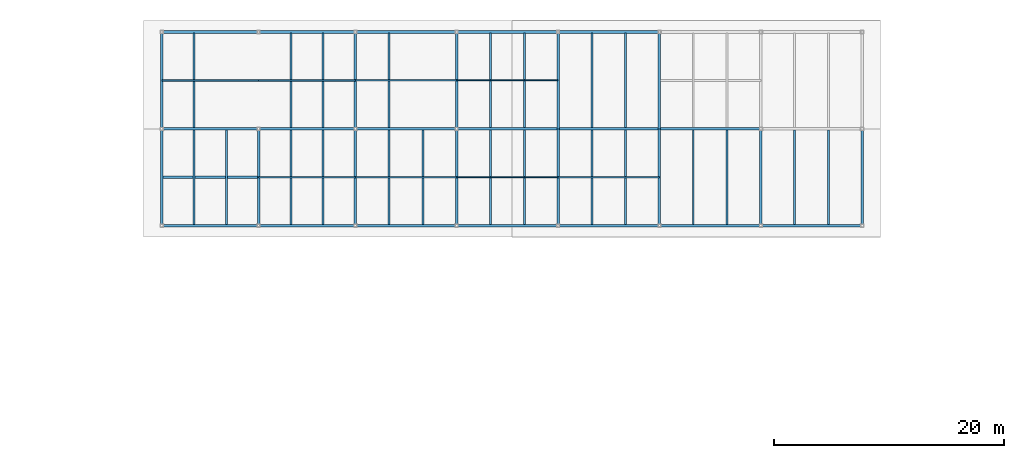
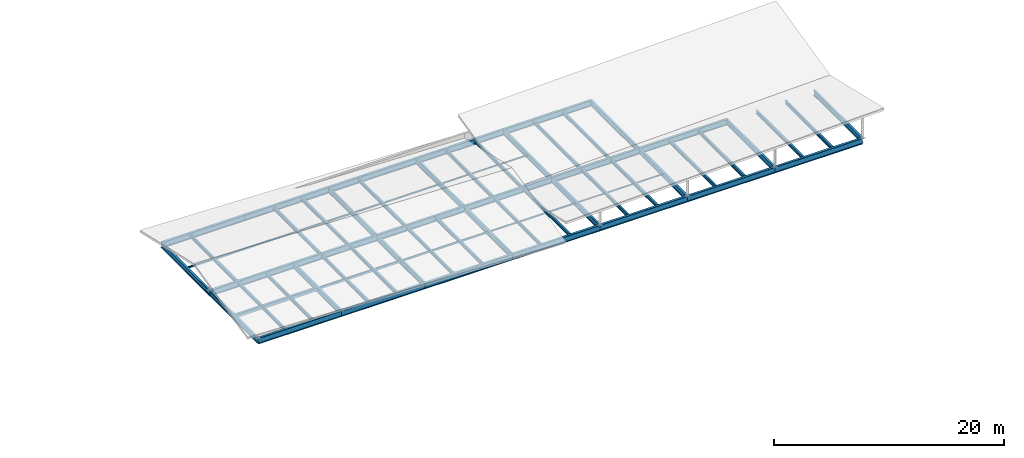
# One storey, part 48 of 65: 53 beams, 9 members.
"""IFC4 building model written with IfcOpenShell, lengths in metres."""

from ifc_helpers import new_model, si_unit, direction, frame, origin, origin_2d, place, context, subcontext, project, spatial, hollow_rectangle, i_section, extrude, material, material_profile, profile_set, type_object, element, save


model = new_model("IFC4")

# Units and contexts
model_context = context("Model", 3, precision=1e-05, world=origin(), true_north=direction((0.0, 1.0)))
body_context = subcontext(model_context, "Body", "Model", "MODEL_VIEW")
ifc_project = project(units=[si_unit("LENGTHUNIT", "METRE"), si_unit("AREAUNIT", "SQUARE_METRE"), si_unit("VOLUMEUNIT", "CUBIC_METRE"), si_unit("PLANEANGLEUNIT", "RADIAN"), si_unit("MASSUNIT", "GRAM", prefix="KILO")], contexts=[model_context])

# Site, building, storey
site_placement = place(None, origin())
site = spatial("IfcSite", under=ifc_project, at=site_placement, CompositionType="ELEMENT")
building_placement = place(site_placement, origin())
building = spatial("IfcBuilding", under=site, at=building_placement, Name="Cinderway Yard Community Centre", CompositionType="ELEMENT")
storey_placement = place(building_placement, frame((0.0, 0.0, 24.300048828125)))
storey = spatial("IfcBuildingStorey", under=building, at=storey_placement, Name="RF", CompositionType="ELEMENT", Elevation=24.300048828125)

# Beams
ifc_material = material(Name="Steel S355", Category="steel")
ifc_material_profile_1 = material_profile(ifc_material, i_section(OverallWidth=0.172119140625, OverallDepth=0.35791015625, WebThickness=0.0078125, FlangeThickness=0.01318359375, FilletRadius=0.010986328125, at=origin_2d()), Name="Steel S355")
ifc_profile_set_1 = profile_set([ifc_material_profile_1], Name="Steel S355")
beam_type_1 = type_object("IfcBeamType", Name="STR-BM-W360X57", PredefinedType="JOIST", material=ifc_profile_set_1)
for number, where, z_axis, x_axis, name in (
    (1, (61.199951171875, 98.4970703125, -0.178955078125), (0.0, 1.0, 0.0), (-1.0, 0.0, 0.0), "Secondary joist STR-BM-RF-SJ03-1123"),
    (2, (64.0, 98.4970703125, -0.178955078125), (0.0, 1.0, 0.0), (-1.0, 0.0, 0.0), "Secondary joist STR-BM-RF-SJ03-1124"),
):
    element("IfcBeam", number, at=place(storey_placement, frame(where, z_axis=z_axis, x_axis=x_axis)), inside=storey, type_object=beam_type_1, Name=name, PredefinedType="JOIST", context=body_context, shape_type="SweptSolid", body=[
        extrude(i_section(OverallWidth=0.172119140625, OverallDepth=0.35791015625, WebThickness=0.0078125, FlangeThickness=0.01318359375, FilletRadius=0.010986328125, at=origin_2d()), origin(), (0.0, 0.0, 1.0), 8.205810546875),
    ])
beam_1_placement = place(storey_placement, frame((61.199951171875, 106.89697265625, -0.178955078125), z_axis=(0.0, 1.0, 0.0), x_axis=(-1.0, 0.0, 0.0)))
element("IfcBeam", 3, at=beam_1_placement, inside=storey, type_object=beam_type_1, Name="Secondary joist STR-BM-RF-SJ03-1125", PredefinedType="JOIST", context=body_context, shape_type="SweptSolid", body=[
    extrude(i_section(OverallWidth=0.172119140625, OverallDepth=0.35791015625, WebThickness=0.0078125, FlangeThickness=0.01318359375, FilletRadius=0.010986328125, at=origin_2d()), origin(), (0.0, 0.0, 1.0), 8.2060546875),
])
for number, where, z_axis, x_axis, name in (
    (4, (69.60009765625, 98.4970703125, -0.178955078125), (0.0, 1.0, 0.0), (-1.0, 0.0, 0.0), "Secondary joist STR-BM-RF-SJ03-1126"),
    (5, (72.39990234375, 98.4970703125, -0.178955078125), (0.0, 1.0, 0.0), (-1.0, 0.0, 0.0), "Secondary joist STR-BM-RF-SJ03-1127"),
):
    element("IfcBeam", number, at=place(storey_placement, frame(where, z_axis=z_axis, x_axis=x_axis)), inside=storey, type_object=beam_type_1, Name=name, PredefinedType="JOIST", context=body_context, shape_type="SweptSolid", body=[
        extrude(i_section(OverallWidth=0.172119140625, OverallDepth=0.35791015625, WebThickness=0.0078125, FlangeThickness=0.01318359375, FilletRadius=0.010986328125, at=origin_2d()), origin(), (0.0, 0.0, 1.0), 8.205810546875),
    ])
for number, where, z_axis, x_axis, name in (
    (6, (69.60009765625, 106.89697265625, -0.178955078125), (0.0, 1.0, 0.0), (-1.0, 0.0, 0.0), "Secondary joist STR-BM-RF-SJ03-1128"),
    (7, (72.39990234375, 106.89697265625, -0.178955078125), (0.0, 1.0, 0.0), (-1.0, 0.0, 0.0), "Secondary joist STR-BM-RF-SJ03-1129"),
):
    element("IfcBeam", number, at=place(storey_placement, frame(where, z_axis=z_axis, x_axis=x_axis)), inside=storey, type_object=beam_type_1, Name=name, PredefinedType="JOIST", context=body_context, shape_type="SweptSolid", body=[
        extrude(i_section(OverallWidth=0.172119140625, OverallDepth=0.35791015625, WebThickness=0.0078125, FlangeThickness=0.01318359375, FilletRadius=0.010986328125, at=origin_2d()), origin(), (0.0, 0.0, 1.0), 8.2060546875),
    ])
for number, where, z_axis, x_axis, name in (
    (8, (78.133056640625, 98.4970703125, -0.178955078125), (0.0, 1.0, 0.0), (-1.0, 0.0, 0.0), "Secondary joist STR-BM-RF-SJ03-1130"),
    (9, (81.06689453125, 98.4970703125, -0.178955078125), (0.0, 1.0, 0.0), (-1.0, 0.0, 0.0), "Secondary joist STR-BM-RF-SJ03-1131"),
):
    element("IfcBeam", number, at=place(storey_placement, frame(where, z_axis=z_axis, x_axis=x_axis)), inside=storey, type_object=beam_type_1, Name=name, PredefinedType="JOIST", context=body_context, shape_type="SweptSolid", body=[
        extrude(i_section(OverallWidth=0.172119140625, OverallDepth=0.35791015625, WebThickness=0.0078125, FlangeThickness=0.01318359375, FilletRadius=0.010986328125, at=origin_2d()), origin(), (0.0, 0.0, 1.0), 8.205810546875),
    ])
beam_2_placement = place(storey_placement, frame((78.133056640625, 106.89697265625, -0.178955078125), z_axis=(0.0, 1.0, 0.0), x_axis=(-1.0, 0.0, 0.0)))
element("IfcBeam", 10, at=beam_2_placement, inside=storey, type_object=beam_type_1, Name="Secondary joist STR-BM-RF-SJ03-1132", PredefinedType="JOIST", context=body_context, shape_type="SweptSolid", body=[
    extrude(i_section(OverallWidth=0.172119140625, OverallDepth=0.35791015625, WebThickness=0.0078125, FlangeThickness=0.01318359375, FilletRadius=0.010986328125, at=origin_2d()), origin(), (0.0, 0.0, 1.0), 8.2060546875),
])
for number, where, z_axis, x_axis, name in (
    (11, (86.93310546875, 98.4970703125, -0.178955078125), (0.0, 1.0, 0.0), (-1.0, 0.0, 0.0), "Secondary joist STR-BM-RF-SJ03-1133"),
    (12, (89.866943359375, 98.4970703125, -0.178955078125), (0.0, 1.0, 0.0), (-1.0, 0.0, 0.0), "Secondary joist STR-BM-RF-SJ03-1134"),
):
    element("IfcBeam", number, at=place(storey_placement, frame(where, z_axis=z_axis, x_axis=x_axis)), inside=storey, type_object=beam_type_1, Name=name, PredefinedType="JOIST", context=body_context, shape_type="SweptSolid", body=[
        extrude(i_section(OverallWidth=0.172119140625, OverallDepth=0.35791015625, WebThickness=0.0078125, FlangeThickness=0.01318359375, FilletRadius=0.010986328125, at=origin_2d()), origin(), (0.0, 0.0, 1.0), 8.205810546875),
    ])
for number, where, z_axis, x_axis, name in (
    (13, (86.93310546875, 106.89697265625, -0.178955078125), (0.0, 1.0, 0.0), (-1.0, 0.0, 0.0), "Secondary joist STR-BM-RF-SJ03-1135"),
    (14, (89.866943359375, 106.89697265625, -0.178955078125), (0.0, 1.0, 0.0), (-1.0, 0.0, 0.0), "Secondary joist STR-BM-RF-SJ03-1136"),
):
    element("IfcBeam", number, at=place(storey_placement, frame(where, z_axis=z_axis, x_axis=x_axis)), inside=storey, type_object=beam_type_1, Name=name, PredefinedType="JOIST", context=body_context, shape_type="SweptSolid", body=[
        extrude(i_section(OverallWidth=0.172119140625, OverallDepth=0.35791015625, WebThickness=0.0078125, FlangeThickness=0.01318359375, FilletRadius=0.010986328125, at=origin_2d()), origin(), (0.0, 0.0, 1.0), 8.2060546875),
    ])
for number, where, z_axis, x_axis, name in (
    (15, (95.73291015625, 98.4970703125, -0.178955078125), (0.0, 1.0, 0.0), (-1.0, 0.0, 0.0), "Secondary joist STR-BM-RF-SJ03-1137"),
    (16, (98.6669921875, 98.4970703125, -0.178955078125), (0.0, 1.0, 0.0), (-1.0, 0.0, 0.0), "Secondary joist STR-BM-RF-SJ03-1138"),
):
    element("IfcBeam", number, at=place(storey_placement, frame(where, z_axis=z_axis, x_axis=x_axis)), inside=storey, type_object=beam_type_1, Name=name, PredefinedType="JOIST", context=body_context, shape_type="SweptSolid", body=[
        extrude(i_section(OverallWidth=0.172119140625, OverallDepth=0.35791015625, WebThickness=0.0078125, FlangeThickness=0.01318359375, FilletRadius=0.010986328125, at=origin_2d()), origin(), (0.0, 0.0, 1.0), 8.205810546875),
    ])
for number, where, z_axis, x_axis, name in (
    (17, (95.73291015625, 106.89697265625, -0.178955078125), (0.0, 1.0, 0.0), (-1.0, 0.0, 0.0), "Secondary joist STR-BM-RF-SJ03-1139"),
    (18, (98.6669921875, 106.89697265625, -0.178955078125), (0.0, 1.0, 0.0), (-1.0, 0.0, 0.0), "Secondary joist STR-BM-RF-SJ03-1140"),
):
    element("IfcBeam", number, at=place(storey_placement, frame(where, z_axis=z_axis, x_axis=x_axis)), inside=storey, type_object=beam_type_1, Name=name, PredefinedType="JOIST", context=body_context, shape_type="SweptSolid", body=[
        extrude(i_section(OverallWidth=0.172119140625, OverallDepth=0.35791015625, WebThickness=0.0078125, FlangeThickness=0.01318359375, FilletRadius=0.010986328125, at=origin_2d()), origin(), (0.0, 0.0, 1.0), 8.2060546875),
    ])
for number, where, z_axis, x_axis, name in (
    (19, (104.532958984375, 98.4970703125, -0.178955078125), (0.0, 1.0, 0.0), (-1.0, 0.0, 0.0), "Secondary joist STR-BM-RF-SJ03-1141"),
    (20, (107.467041015625, 98.4970703125, -0.178955078125), (0.0, 1.0, 0.0), (-1.0, 0.0, 0.0), "Secondary joist STR-BM-RF-SJ03-1142"),
    (21, (113.3330078125, 98.4970703125, -0.178955078125), (0.0, 1.0, 0.0), (-1.0, 0.0, 0.0), "Secondary joist STR-BM-RF-SJ03-1145"),
    (22, (116.26708984375, 98.4970703125, -0.178955078125), (0.0, 1.0, 0.0), (-1.0, 0.0, 0.0), "Secondary joist STR-BM-RF-SJ03-1146"),
):
    element("IfcBeam", number, at=place(storey_placement, frame(where, z_axis=z_axis, x_axis=x_axis)), inside=storey, type_object=beam_type_1, Name=name, PredefinedType="JOIST", context=body_context, shape_type="SweptSolid", body=[
        extrude(i_section(OverallWidth=0.172119140625, OverallDepth=0.35791015625, WebThickness=0.0078125, FlangeThickness=0.01318359375, FilletRadius=0.010986328125, at=origin_2d()), origin(), (0.0, 0.0, 1.0), 8.205810546875),
    ])
ifc_material_profile_2 = material_profile(ifc_material, i_section(OverallWidth=0.2109375, OverallDepth=0.5390625, WebThickness=0.010986328125, FlangeThickness=0.017333984375, FilletRadius=0.013916015625, at=origin_2d()), Name="Steel S355")
ifc_profile_set_2 = profile_set([ifc_material_profile_2], Name="Steel S355")
beam_type_2 = type_object("IfcBeamType", Name="STR-BM-W530X109", PredefinedType="BEAM", material=ifc_profile_set_2)
beam_3_placement = place(storey_placement, frame((58.39990234375, 98.39990234375, -0.27001953125), z_axis=(0.0, 1.0, 0.0), x_axis=(-1.0, 0.0, 0.0)))
element("IfcBeam", 23, at=beam_3_placement, inside=storey, type_object=beam_type_2, Name="Transverse girder STR-BM-RF-SB06-1108", PredefinedType="BEAM", context=body_context, shape_type="SweptSolid", body=[
    extrude(i_section(OverallWidth=0.2109375, OverallDepth=0.5390625, WebThickness=0.010986328125, FlangeThickness=0.017333984375, FilletRadius=0.013916015625, at=origin_2d()), origin(), (0.0, 0.0, 1.0), 8.400146484375),
])
beam_4_placement = place(storey_placement, frame((58.39990234375, 106.800048828125, -0.27001953125), z_axis=(0.0, 1.0, 0.0), x_axis=(-1.0, 0.0, 0.0)))
element("IfcBeam", 24, at=beam_4_placement, inside=storey, type_object=beam_type_2, Name="Transverse girder STR-BM-RF-SB06-1109", PredefinedType="BEAM", context=body_context, shape_type="SweptSolid", body=[
    extrude(i_section(OverallWidth=0.2109375, OverallDepth=0.5390625, WebThickness=0.010986328125, FlangeThickness=0.017333984375, FilletRadius=0.013916015625, at=origin_2d()), origin(), (0.0, 0.0, 1.0), 8.39990234375),
])
for number, where, z_axis, x_axis, name in (
    (25, (66.800048828125, 98.39990234375, -0.27001953125), (0.0, 1.0, 0.0), (-1.0, 0.0, 0.0), "Transverse girder STR-BM-RF-SB06-1110"),
    (26, (75.199951171875, 98.39990234375, -0.27001953125), (0.0, 1.0, 0.0), (-1.0, 0.0, 0.0), "Transverse girder STR-BM-RF-SB06-1111"),
):
    element("IfcBeam", number, at=place(storey_placement, frame(where, z_axis=z_axis, x_axis=x_axis)), inside=storey, type_object=beam_type_2, Name=name, PredefinedType="BEAM", context=body_context, shape_type="SweptSolid", body=[
        extrude(i_section(OverallWidth=0.2109375, OverallDepth=0.5390625, WebThickness=0.010986328125, FlangeThickness=0.017333984375, FilletRadius=0.013916015625, at=origin_2d()), origin(), (0.0, 0.0, 1.0), 8.400146484375),
    ])
beam_5_placement = place(storey_placement, frame((75.199951171875, 106.800048828125, -0.27001953125), z_axis=(0.0, 1.0, 0.0), x_axis=(-1.0, 0.0, 0.0)))
element("IfcBeam", 27, at=beam_5_placement, inside=storey, type_object=beam_type_2, Name="Transverse girder STR-BM-RF-SB06-1112", PredefinedType="BEAM", context=body_context, shape_type="SweptSolid", body=[
    extrude(i_section(OverallWidth=0.2109375, OverallDepth=0.5390625, WebThickness=0.010986328125, FlangeThickness=0.017333984375, FilletRadius=0.013916015625, at=origin_2d()), origin(), (0.0, 0.0, 1.0), 8.39990234375),
])
beam_6_placement = place(storey_placement, frame((84.0, 98.39990234375, -0.27001953125), z_axis=(0.0, 1.0, 0.0), x_axis=(-1.0, 0.0, 0.0)))
element("IfcBeam", 28, at=beam_6_placement, inside=storey, type_object=beam_type_2, Name="Transverse girder STR-BM-RF-SB06-1113", PredefinedType="BEAM", context=body_context, shape_type="SweptSolid", body=[
    extrude(i_section(OverallWidth=0.2109375, OverallDepth=0.5390625, WebThickness=0.010986328125, FlangeThickness=0.017333984375, FilletRadius=0.013916015625, at=origin_2d()), origin(), (0.0, 0.0, 1.0), 8.400146484375),
])
beam_7_placement = place(storey_placement, frame((84.0, 106.800048828125, -0.27001953125), z_axis=(0.0, 1.0, 0.0), x_axis=(-1.0, 0.0, 0.0)))
element("IfcBeam", 29, at=beam_7_placement, inside=storey, type_object=beam_type_2, Name="Transverse girder STR-BM-RF-SB06-1114", PredefinedType="BEAM", context=body_context, shape_type="SweptSolid", body=[
    extrude(i_section(OverallWidth=0.2109375, OverallDepth=0.5390625, WebThickness=0.010986328125, FlangeThickness=0.017333984375, FilletRadius=0.013916015625, at=origin_2d()), origin(), (0.0, 0.0, 1.0), 8.39990234375),
])
beam_8_placement = place(storey_placement, frame((92.800048828125, 98.39990234375, -0.27001953125), z_axis=(0.0, 1.0, 0.0), x_axis=(-1.0, 0.0, 0.0)))
element("IfcBeam", 30, at=beam_8_placement, inside=storey, type_object=beam_type_2, Name="Transverse girder STR-BM-RF-SB06-1115", PredefinedType="BEAM", context=body_context, shape_type="SweptSolid", body=[
    extrude(i_section(OverallWidth=0.2109375, OverallDepth=0.5390625, WebThickness=0.010986328125, FlangeThickness=0.017333984375, FilletRadius=0.013916015625, at=origin_2d()), origin(), (0.0, 0.0, 1.0), 8.400146484375),
])
beam_9_placement = place(storey_placement, frame((92.800048828125, 106.800048828125, -0.27001953125), z_axis=(0.0, 1.0, 0.0), x_axis=(-1.0, 0.0, 0.0)))
element("IfcBeam", 31, at=beam_9_placement, inside=storey, type_object=beam_type_2, Name="Transverse girder STR-BM-RF-SB06-1116", PredefinedType="BEAM", context=body_context, shape_type="SweptSolid", body=[
    extrude(i_section(OverallWidth=0.2109375, OverallDepth=0.5390625, WebThickness=0.010986328125, FlangeThickness=0.017333984375, FilletRadius=0.013916015625, at=origin_2d()), origin(), (0.0, 0.0, 1.0), 8.39990234375),
])
beam_10_placement = place(storey_placement, frame((101.60009765625, 98.39990234375, -0.27001953125), z_axis=(0.0, 1.0, 0.0), x_axis=(-1.0, 0.0, 0.0)))
element("IfcBeam", 32, at=beam_10_placement, inside=storey, type_object=beam_type_2, Name="Transverse girder STR-BM-RF-SB06-1117", PredefinedType="BEAM", context=body_context, shape_type="SweptSolid", body=[
    extrude(i_section(OverallWidth=0.2109375, OverallDepth=0.5390625, WebThickness=0.010986328125, FlangeThickness=0.017333984375, FilletRadius=0.013916015625, at=origin_2d()), origin(), (0.0, 0.0, 1.0), 8.400146484375),
])
beam_11_placement = place(storey_placement, frame((101.60009765625, 106.800048828125, -0.27001953125), z_axis=(0.0, 1.0, 0.0), x_axis=(-1.0, 0.0, 0.0)))
element("IfcBeam", 33, at=beam_11_placement, inside=storey, type_object=beam_type_2, Name="Transverse girder STR-BM-RF-SB06-1118", PredefinedType="BEAM", context=body_context, shape_type="SweptSolid", body=[
    extrude(i_section(OverallWidth=0.2109375, OverallDepth=0.5390625, WebThickness=0.010986328125, FlangeThickness=0.017333984375, FilletRadius=0.013916015625, at=origin_2d()), origin(), (0.0, 0.0, 1.0), 8.39990234375),
])
for number, where, z_axis, x_axis, name in (
    (34, (110.39990234375, 98.39990234375, -0.27001953125), (0.0, 1.0, 0.0), (-1.0, 0.0, 0.0), "Transverse girder STR-BM-RF-SB06-1119"),
    (35, (119.199951171875, 98.39990234375, -0.27001953125), (0.0, 1.0, 0.0), (-1.0, 0.0, 0.0), "Transverse girder STR-BM-RF-SB06-1121"),
):
    element("IfcBeam", number, at=place(storey_placement, frame(where, z_axis=z_axis, x_axis=x_axis)), inside=storey, type_object=beam_type_2, Name=name, PredefinedType="BEAM", context=body_context, shape_type="SweptSolid", body=[
        extrude(i_section(OverallWidth=0.2109375, OverallDepth=0.5390625, WebThickness=0.010986328125, FlangeThickness=0.017333984375, FilletRadius=0.013916015625, at=origin_2d()), origin(), (0.0, 0.0, 1.0), 8.400146484375),
    ])
ifc_material_profile_3 = material_profile(ifc_material, i_section(OverallWidth=0.22998046875, OverallDepth=0.616943359375, WebThickness=0.011962890625, FlangeThickness=0.01953125, FilletRadius=0.01611328125, at=origin_2d()), Name="Steel S355")
ifc_profile_set_3 = profile_set([ifc_material_profile_3], Name="Steel S355")
beam_type_3 = type_object("IfcBeamType", Name="STR-BM-W610X140", PredefinedType="BEAM", material=ifc_profile_set_3)
beam_12_placement = place(storey_placement, frame((58.39990234375, 98.39990234375, -0.30810546875), z_axis=(1.0, 0.0, 0.0), x_axis=(0.0, 1.0, 0.0)))
element("IfcBeam", 36, at=beam_12_placement, inside=storey, type_object=beam_type_3, Name="Primary girder STR-BM-RF-SB05-1087", PredefinedType="BEAM", context=body_context, shape_type="SweptSolid", body=[
    extrude(i_section(OverallWidth=0.22998046875, OverallDepth=0.616943359375, WebThickness=0.011962890625, FlangeThickness=0.01953125, FilletRadius=0.01611328125, at=origin_2d()), origin(), (0.0, 0.0, 1.0), 8.400146484375),
])
beam_13_placement = place(storey_placement, frame((66.800048828125, 98.39990234375, -0.30810546875), z_axis=(1.0, 0.0, 0.0), x_axis=(0.0, 1.0, 0.0)))
element("IfcBeam", 37, at=beam_13_placement, inside=storey, type_object=beam_type_3, Name="Primary girder STR-BM-RF-SB05-1088", PredefinedType="BEAM", context=body_context, shape_type="SweptSolid", body=[
    extrude(i_section(OverallWidth=0.22998046875, OverallDepth=0.616943359375, WebThickness=0.011962890625, FlangeThickness=0.01953125, FilletRadius=0.01611328125, at=origin_2d()), origin(), (0.0, 0.0, 1.0), 8.39990234375),
])
for number, where, z_axis, x_axis, name in (
    (38, (75.199951171875, 98.39990234375, -0.30810546875), (1.0, 0.0, 0.0), (0.0, 1.0, 0.0), "Primary girder STR-BM-RF-SB05-1089"),
    (39, (84.0, 98.39990234375, -0.30810546875), (1.0, 0.0, 0.0), (0.0, 1.0, 0.0), "Primary girder STR-BM-RF-SB05-1090"),
    (40, (92.800048828125, 98.39990234375, -0.30810546875), (1.0, 0.0, 0.0), (0.0, 1.0, 0.0), "Primary girder STR-BM-RF-SB05-1091"),
):
    element("IfcBeam", number, at=place(storey_placement, frame(where, z_axis=z_axis, x_axis=x_axis)), inside=storey, type_object=beam_type_3, Name=name, PredefinedType="BEAM", context=body_context, shape_type="SweptSolid", body=[
        extrude(i_section(OverallWidth=0.22998046875, OverallDepth=0.616943359375, WebThickness=0.011962890625, FlangeThickness=0.01953125, FilletRadius=0.01611328125, at=origin_2d()), origin(), (0.0, 0.0, 1.0), 8.800048828125),
    ])
beam_14_placement = place(storey_placement, frame((101.60009765625, 98.39990234375, -0.30810546875), z_axis=(1.0, 0.0, 0.0), x_axis=(0.0, 1.0, 0.0)))
element("IfcBeam", 41, at=beam_14_placement, inside=storey, type_object=beam_type_3, Name="Primary girder STR-BM-RF-SB05-1092", PredefinedType="BEAM", context=body_context, shape_type="SweptSolid", body=[
    extrude(i_section(OverallWidth=0.22998046875, OverallDepth=0.616943359375, WebThickness=0.011962890625, FlangeThickness=0.01953125, FilletRadius=0.01611328125, at=origin_2d()), origin(), (0.0, 0.0, 1.0), 8.7998046875),
])
beam_15_placement = place(storey_placement, frame((110.39990234375, 98.39990234375, -0.30810546875), z_axis=(1.0, 0.0, 0.0), x_axis=(0.0, 1.0, 0.0)))
element("IfcBeam", 42, at=beam_15_placement, inside=storey, type_object=beam_type_3, Name="Primary girder STR-BM-RF-SB05-1093", PredefinedType="BEAM", context=body_context, shape_type="SweptSolid", body=[
    extrude(i_section(OverallWidth=0.22998046875, OverallDepth=0.616943359375, WebThickness=0.011962890625, FlangeThickness=0.01953125, FilletRadius=0.01611328125, at=origin_2d()), origin(), (0.0, 0.0, 1.0), 8.800048828125),
])
beam_16_placement = place(storey_placement, frame((58.39990234375, 106.800048828125, -0.30810546875), z_axis=(1.0, 0.0, 0.0), x_axis=(0.0, 1.0, 0.0)))
element("IfcBeam", 43, at=beam_16_placement, inside=storey, type_object=beam_type_3, Name="Primary girder STR-BM-RF-SB05-1094", PredefinedType="BEAM", context=body_context, shape_type="SweptSolid", body=[
    extrude(i_section(OverallWidth=0.22998046875, OverallDepth=0.616943359375, WebThickness=0.011962890625, FlangeThickness=0.01953125, FilletRadius=0.01611328125, at=origin_2d()), origin(), (0.0, 0.0, 1.0), 8.400146484375),
])
beam_17_placement = place(storey_placement, frame((66.800048828125, 106.800048828125, -0.30810546875), z_axis=(1.0, 0.0, 0.0), x_axis=(0.0, 1.0, 0.0)))
element("IfcBeam", 44, at=beam_17_placement, inside=storey, type_object=beam_type_3, Name="Primary girder STR-BM-RF-SB05-1095", PredefinedType="BEAM", context=body_context, shape_type="SweptSolid", body=[
    extrude(i_section(OverallWidth=0.22998046875, OverallDepth=0.616943359375, WebThickness=0.011962890625, FlangeThickness=0.01953125, FilletRadius=0.01611328125, at=origin_2d()), origin(), (0.0, 0.0, 1.0), 8.39990234375),
])
for number, where, z_axis, x_axis, name in (
    (45, (75.199951171875, 106.800048828125, -0.30810546875), (1.0, 0.0, 0.0), (0.0, 1.0, 0.0), "Primary girder STR-BM-RF-SB05-1096"),
    (46, (84.0, 106.800048828125, -0.30810546875), (1.0, 0.0, 0.0), (0.0, 1.0, 0.0), "Primary girder STR-BM-RF-SB05-1097"),
    (47, (92.800048828125, 106.800048828125, -0.30810546875), (1.0, 0.0, 0.0), (0.0, 1.0, 0.0), "Primary girder STR-BM-RF-SB05-1098"),
):
    element("IfcBeam", number, at=place(storey_placement, frame(where, z_axis=z_axis, x_axis=x_axis)), inside=storey, type_object=beam_type_3, Name=name, PredefinedType="BEAM", context=body_context, shape_type="SweptSolid", body=[
        extrude(i_section(OverallWidth=0.22998046875, OverallDepth=0.616943359375, WebThickness=0.011962890625, FlangeThickness=0.01953125, FilletRadius=0.01611328125, at=origin_2d()), origin(), (0.0, 0.0, 1.0), 8.800048828125),
    ])
beam_18_placement = place(storey_placement, frame((101.60009765625, 106.800048828125, -0.30810546875), z_axis=(1.0, 0.0, 0.0), x_axis=(0.0, 1.0, 0.0)))
element("IfcBeam", 48, at=beam_18_placement, inside=storey, type_object=beam_type_3, Name="Primary girder STR-BM-RF-SB05-1099", PredefinedType="BEAM", context=body_context, shape_type="SweptSolid", body=[
    extrude(i_section(OverallWidth=0.22998046875, OverallDepth=0.616943359375, WebThickness=0.011962890625, FlangeThickness=0.01953125, FilletRadius=0.01611328125, at=origin_2d()), origin(), (0.0, 0.0, 1.0), 8.7998046875),
])
beam_19_placement = place(storey_placement, frame((58.39990234375, 115.199951171875, -0.30810546875), z_axis=(1.0, 0.0, 0.0), x_axis=(0.0, 1.0, 0.0)))
element("IfcBeam", 49, at=beam_19_placement, inside=storey, type_object=beam_type_3, Name="Primary girder STR-BM-RF-SB05-1101", PredefinedType="BEAM", context=body_context, shape_type="SweptSolid", body=[
    extrude(i_section(OverallWidth=0.22998046875, OverallDepth=0.616943359375, WebThickness=0.011962890625, FlangeThickness=0.01953125, FilletRadius=0.01611328125, at=origin_2d()), origin(), (0.0, 0.0, 1.0), 8.400146484375),
])
beam_20_placement = place(storey_placement, frame((66.800048828125, 115.199951171875, -0.30810546875), z_axis=(1.0, 0.0, 0.0), x_axis=(0.0, 1.0, 0.0)))
element("IfcBeam", 50, at=beam_20_placement, inside=storey, type_object=beam_type_3, Name="Primary girder STR-BM-RF-SB05-1102", PredefinedType="BEAM", context=body_context, shape_type="SweptSolid", body=[
    extrude(i_section(OverallWidth=0.22998046875, OverallDepth=0.616943359375, WebThickness=0.011962890625, FlangeThickness=0.01953125, FilletRadius=0.01611328125, at=origin_2d()), origin(), (0.0, 0.0, 1.0), 8.39990234375),
])
for number, where, z_axis, x_axis, name in (
    (51, (75.199951171875, 115.199951171875, -0.30810546875), (1.0, 0.0, 0.0), (0.0, 1.0, 0.0), "Primary girder STR-BM-RF-SB05-1103"),
    (52, (84.0, 115.199951171875, -0.30810546875), (1.0, 0.0, 0.0), (0.0, 1.0, 0.0), "Primary girder STR-BM-RF-SB05-1104"),
    (53, (92.800048828125, 115.199951171875, -0.30810546875), (1.0, 0.0, 0.0), (0.0, 1.0, 0.0), "Primary girder STR-BM-RF-SB05-1105"),
):
    element("IfcBeam", number, at=place(storey_placement, frame(where, z_axis=z_axis, x_axis=x_axis)), inside=storey, type_object=beam_type_3, Name=name, PredefinedType="BEAM", context=body_context, shape_type="SweptSolid", body=[
        extrude(i_section(OverallWidth=0.22998046875, OverallDepth=0.616943359375, WebThickness=0.011962890625, FlangeThickness=0.01953125, FilletRadius=0.01611328125, at=origin_2d()), origin(), (0.0, 0.0, 1.0), 8.800048828125),
    ])

# Members
ifc_material_profile_4 = material_profile(ifc_material, hollow_rectangle(XDim=0.1201171875, YDim=0.1201171875, WallThickness=0.00634765625, InnerFilletRadius=0.00634765625, OuterFilletRadius=0.0126953125, at=origin_2d()), Name="Steel S355")
ifc_profile_set_4 = profile_set([ifc_material_profile_4], Name="Steel S355")
member_type_1 = type_object("IfcMemberType", Name="STR-MEM-BRACE-120", PredefinedType="BRACE", material=ifc_profile_set_4)
member_1_placement = place(storey_placement, frame((84.0, 111.0, -0.25), z_axis=(1.0, 0.0, 0.0), x_axis=(0.0, 1.0, 0.0)))
element("IfcMember", 54, at=member_1_placement, inside=storey, type_object=member_type_1, Name="Roof purlin tie member 10", PredefinedType="BRACE", context=body_context, shape_type="SweptSolid", body=[
    extrude(hollow_rectangle(XDim=0.1201171875, YDim=0.1201171875, WallThickness=0.00634765625, InnerFilletRadius=0.00634765625, OuterFilletRadius=0.0126953125, at=origin_2d()), origin(), (0.0, 0.0, 1.0), 8.800048828125),
])
ifc_material_profile_5 = material_profile(ifc_material, hollow_rectangle(XDim=0.139892578125, YDim=0.139892578125, WallThickness=0.008056640625, InnerFilletRadius=0.008056640625, OuterFilletRadius=0.01611328125, at=origin_2d()), Name="Steel S355")
ifc_profile_set_5 = profile_set([ifc_material_profile_5], Name="Steel S355")
member_type_2 = type_object("IfcMemberType", Name="STR-MEM-BRACE-140", PredefinedType="BRACE", material=ifc_profile_set_5)
member_2_placement = place(storey_placement, frame((75.199951171875, 111.0, -0.25), z_axis=(1.0, 0.0, 0.0), x_axis=(0.0, 1.0, 0.0)))
element("IfcMember", 55, at=member_2_placement, inside=storey, type_object=member_type_2, Name="Roof purlin tie member 09", PredefinedType="BRACE", context=body_context, shape_type="SweptSolid", body=[
    extrude(hollow_rectangle(XDim=0.139892578125, YDim=0.139892578125, WallThickness=0.008056640625, InnerFilletRadius=0.008056640625, OuterFilletRadius=0.01611328125, at=origin_2d()), origin(), (0.0, 0.0, 1.0), 8.800048828125),
])
ifc_material_profile_6 = material_profile(ifc_material, hollow_rectangle(XDim=0.14990234375, YDim=0.14990234375, WallThickness=0.008056640625, InnerFilletRadius=0.008056640625, OuterFilletRadius=0.01611328125, at=origin_2d()), Name="Steel S355")
ifc_profile_set_6 = profile_set([ifc_material_profile_6], Name="Steel S355")
member_type_3 = type_object("IfcMemberType", Name="STR-MEM-BRACE-150", PredefinedType="BRACE", material=ifc_profile_set_6)
member_3_placement = place(storey_placement, frame((66.800048828125, 111.0, -0.25), z_axis=(1.0, 0.0, 0.0), x_axis=(0.0, 1.0, 0.0)))
element("IfcMember", 56, at=member_3_placement, inside=storey, type_object=member_type_3, Name="Roof purlin tie member 08", PredefinedType="BRACE", context=body_context, shape_type="SweptSolid", body=[
    extrude(hollow_rectangle(XDim=0.14990234375, YDim=0.14990234375, WallThickness=0.008056640625, InnerFilletRadius=0.008056640625, OuterFilletRadius=0.01611328125, at=origin_2d()), origin(), (0.0, 0.0, 1.0), 8.39990234375),
])
ifc_material_profile_7 = material_profile(ifc_material, hollow_rectangle(XDim=0.159912109375, YDim=0.159912109375, WallThickness=0.010009765625, InnerFilletRadius=0.010009765625, OuterFilletRadius=0.02001953125, at=origin_2d()), Name="Steel S355")
ifc_profile_set_7 = profile_set([ifc_material_profile_7], Name="Steel S355")
member_type_4 = type_object("IfcMemberType", Name="STR-MEM-BRACE-160", PredefinedType="BRACE", material=ifc_profile_set_7)
member_4_placement = place(storey_placement, frame((58.39990234375, 111.0, -0.25), z_axis=(1.0, 0.0, 0.0), x_axis=(0.0, 1.0, 0.0)))
element("IfcMember", 57, at=member_4_placement, inside=storey, type_object=member_type_4, Name="Roof purlin tie member 07", PredefinedType="BRACE", context=body_context, shape_type="SweptSolid", body=[
    extrude(hollow_rectangle(XDim=0.159912109375, YDim=0.159912109375, WallThickness=0.010009765625, InnerFilletRadius=0.010009765625, OuterFilletRadius=0.02001953125, at=origin_2d()), origin(), (0.0, 0.0, 1.0), 8.400146484375),
])
ifc_material_profile_8 = material_profile(ifc_material, hollow_rectangle(XDim=0.080078125, YDim=0.139892578125, WallThickness=0.00634765625, InnerFilletRadius=0.00634765625, OuterFilletRadius=0.0126953125, at=origin_2d()), Name="Steel S355")
ifc_profile_set_8 = profile_set([ifc_material_profile_8], Name="Steel S355")
member_type_5 = type_object("IfcMemberType", Name="STR-MEM-PURLIN-140", PredefinedType="PURLIN", material=ifc_profile_set_8)
member_5_placement = place(storey_placement, frame((92.800048828125, 102.60009765625, -0.25), z_axis=(1.0, 0.0, 0.0), x_axis=(0.0, 1.0, 0.0)))
element("IfcMember", 58, at=member_5_placement, inside=storey, type_object=member_type_5, Name="Roof purlin tie member 05", PredefinedType="PURLIN", context=body_context, shape_type="SweptSolid", body=[
    extrude(hollow_rectangle(XDim=0.080078125, YDim=0.139892578125, WallThickness=0.00634765625, InnerFilletRadius=0.00634765625, OuterFilletRadius=0.0126953125, at=origin_2d()), origin(), (0.0, 0.0, 1.0), 8.800048828125),
])
ifc_material_profile_9 = material_profile(ifc_material, hollow_rectangle(XDim=0.10009765625, YDim=0.159912109375, WallThickness=0.00634765625, InnerFilletRadius=0.00634765625, OuterFilletRadius=0.0126953125, at=origin_2d()), Name="Steel S355")
ifc_profile_set_9 = profile_set([ifc_material_profile_9], Name="Steel S355")
member_type_6 = type_object("IfcMemberType", Name="STR-MEM-PURLIN-160", PredefinedType="PURLIN", material=ifc_profile_set_9)
member_6_placement = place(storey_placement, frame((84.0, 102.60009765625, -0.25), z_axis=(1.0, 0.0, 0.0), x_axis=(0.0, 1.0, 0.0)))
element("IfcMember", 59, at=member_6_placement, inside=storey, type_object=member_type_6, Name="Roof purlin tie member 04", PredefinedType="PURLIN", context=body_context, shape_type="SweptSolid", body=[
    extrude(hollow_rectangle(XDim=0.10009765625, YDim=0.159912109375, WallThickness=0.00634765625, InnerFilletRadius=0.00634765625, OuterFilletRadius=0.0126953125, at=origin_2d()), origin(), (0.0, 0.0, 1.0), 8.800048828125),
])
ifc_material_profile_10 = material_profile(ifc_material, hollow_rectangle(XDim=0.1201171875, YDim=0.199951171875, WallThickness=0.008056640625, InnerFilletRadius=0.008056640625, OuterFilletRadius=0.01611328125, at=origin_2d()), Name="Steel S355")
ifc_profile_set_10 = profile_set([ifc_material_profile_10], Name="Steel S355")
member_type_7 = type_object("IfcMemberType", Name="STR-MEM-RAFTER-200B", PredefinedType="RAFTER", material=ifc_profile_set_10)
member_7_placement = place(storey_placement, frame((75.199951171875, 102.60009765625, -0.25), z_axis=(1.0, 0.0, 0.0), x_axis=(0.0, 1.0, 0.0)))
element("IfcMember", 60, at=member_7_placement, inside=storey, type_object=member_type_7, Name="Roof purlin tie member 03", PredefinedType="RAFTER", context=body_context, shape_type="SweptSolid", body=[
    extrude(hollow_rectangle(XDim=0.1201171875, YDim=0.199951171875, WallThickness=0.008056640625, InnerFilletRadius=0.008056640625, OuterFilletRadius=0.01611328125, at=origin_2d()), origin(), (0.0, 0.0, 1.0), 8.800048828125),
])
ifc_material_profile_11 = material_profile(ifc_material, hollow_rectangle(XDim=0.14990234375, YDim=0.25, WallThickness=0.010009765625, InnerFilletRadius=0.010009765625, OuterFilletRadius=0.02001953125, at=origin_2d()), Name="Steel S355")
ifc_profile_set_11 = profile_set([ifc_material_profile_11], Name="Steel S355")
member_type_8 = type_object("IfcMemberType", Name="STR-MEM-RAFTER-250", PredefinedType="RAFTER", material=ifc_profile_set_11)
member_8_placement = place(storey_placement, frame((66.800048828125, 102.60009765625, -0.25), z_axis=(1.0, 0.0, 0.0), x_axis=(0.0, 1.0, 0.0)))
element("IfcMember", 61, at=member_8_placement, inside=storey, type_object=member_type_8, Name="Roof purlin tie member 02", PredefinedType="RAFTER", context=body_context, shape_type="SweptSolid", body=[
    extrude(hollow_rectangle(XDim=0.14990234375, YDim=0.25, WallThickness=0.010009765625, InnerFilletRadius=0.010009765625, OuterFilletRadius=0.02001953125, at=origin_2d()), origin(), (0.0, 0.0, 1.0), 8.39990234375),
])
ifc_material_profile_12 = material_profile(ifc_material, hollow_rectangle(XDim=0.25, YDim=0.35009765625, WallThickness=0.012451171875, InnerFilletRadius=0.012451171875, OuterFilletRadius=0.02490234375, at=origin_2d()), Name="Steel S355")
ifc_profile_set_12 = profile_set([ifc_material_profile_12], Name="Steel S355")
member_type_9 = type_object("IfcMemberType", Name="STR-MEM-RAFTER-350", PredefinedType="RAFTER", material=ifc_profile_set_12)
member_9_placement = place(storey_placement, frame((58.39990234375, 102.60009765625, -0.25), z_axis=(1.0, 0.0, 0.0), x_axis=(0.0, 1.0, 0.0)))
element("IfcMember", 62, at=member_9_placement, inside=storey, type_object=member_type_9, Name="Roof purlin tie member 01", PredefinedType="RAFTER", context=body_context, shape_type="SweptSolid", body=[
    extrude(hollow_rectangle(XDim=0.25, YDim=0.35009765625, WallThickness=0.012451171875, InnerFilletRadius=0.012451171875, OuterFilletRadius=0.02490234375, at=origin_2d()), origin(), (0.0, 0.0, 1.0), 8.400146484375),
])

save(model, "model.ifc")
